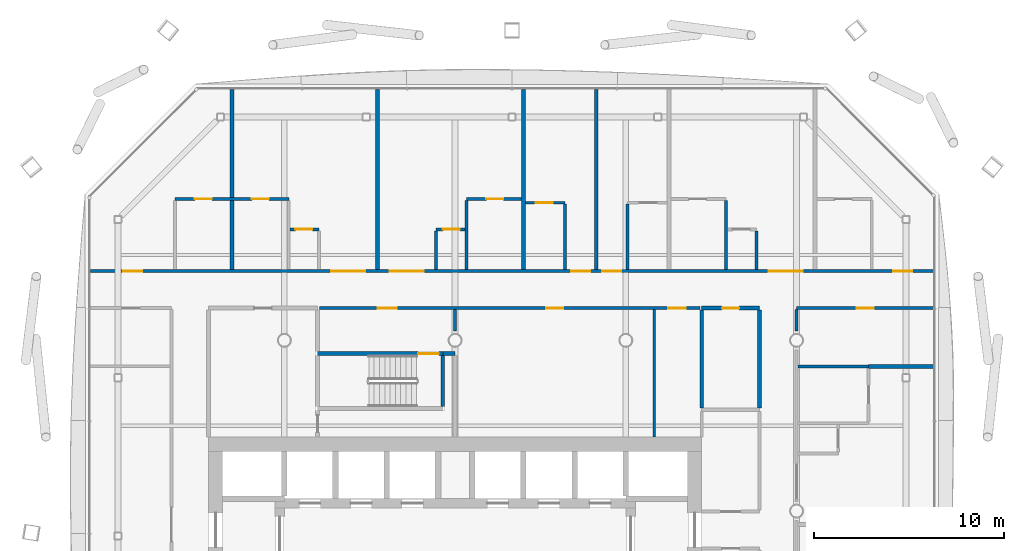
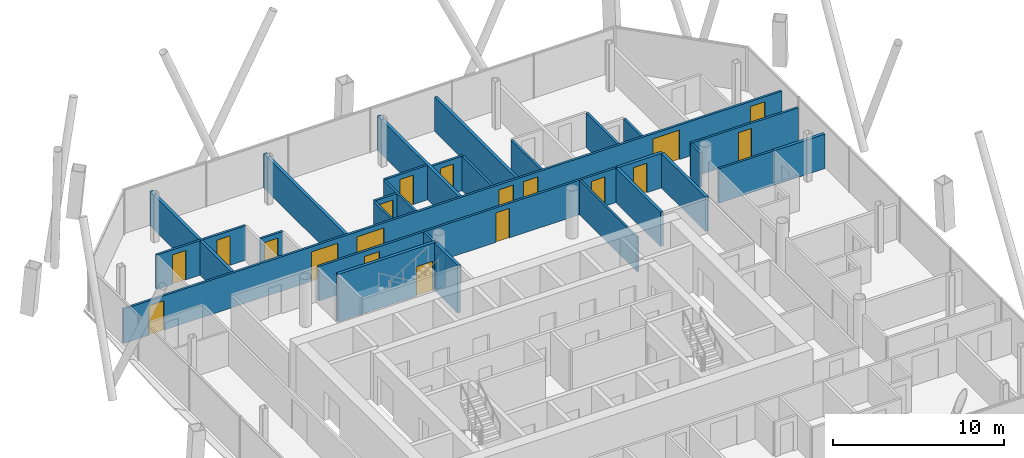
# One storey, part 17 of 23: 29 walls, 19 doors, 19 openings.
"""IFC4 building model written with IfcOpenShell, lengths in metres."""

from ifc_helpers import new_model, si_unit, direction, frame, frame_2d, origin, place, context, subcontext, project, spatial, rectangle, extrude, material, layer, layer_set, type_object, element, fill, save


model = new_model("IFC4")

# Units and contexts
model_context = context("Model", 3, precision=1e-05, world=origin(), true_north=direction((0.0, 1.0)))
body_context = subcontext(model_context, "Body", "Model", "MODEL_VIEW")
ifc_project = project(units=[si_unit("LENGTHUNIT", "METRE"), si_unit("AREAUNIT", "SQUARE_METRE"), si_unit("VOLUMEUNIT", "CUBIC_METRE"), si_unit("PLANEANGLEUNIT", "RADIAN"), si_unit("MASSUNIT", "GRAM", prefix="KILO")], contexts=[model_context])

# Site, building, storey
site_placement = place(None, origin())
site = spatial("IfcSite", under=ifc_project, at=site_placement, CompositionType="ELEMENT")
building_placement = place(site_placement, origin())
building = spatial("IfcBuilding", under=site, at=building_placement, Name="Tskaro Facet Tower", CompositionType="ELEMENT")
storey_placement = place(building_placement, frame((0.0, 0.0, 141.89990234375)))
storey = spatial("IfcBuildingStorey", under=building, at=storey_placement, Name="L34", CompositionType="ELEMENT", Elevation=141.89990234375)

# Walls
ifc_material_1 = material(Name="Gypsum board on steel studs", Category="steel")
ifc_layer_1 = layer(ifc_material_1, 0.125, Name="Gypsum board on steel studs")
ifc_layer_set_1 = layer_set([ifc_layer_1], Name="Gypsum board on steel studs")
wall_type_1 = type_object("IfcWallType", Name="PART", PredefinedType="PARTITIONING", material=ifc_layer_set_1)
wall_1_placement = place(storey_placement, frame((10.5, 3.89990234375, 0.0), z_axis=(0.0, 0.0, 1.0), x_axis=(0.0, 1.0, 0.0)))
element("IfcWall", 1, at=wall_1_placement, inside=storey, type_object=wall_type_1, Name="Partition W101", PredefinedType="PARTITIONING", context=body_context, shape_type="SweptSolid", body=[
    extrude(rectangle(XDim=6.72509765625, YDim=0.125, at=frame_2d((3.362548828125, 0.0))), origin(), (0.0, 0.0, 1.0), 2.460205078125),
])
ifc_layer_2 = layer(ifc_material_1, 0.14990234375, Name="Gypsum board on steel studs")
ifc_layer_set_2 = layer_set([ifc_layer_2], Name="Gypsum board on steel studs")
wall_type_2 = type_object("IfcWallType", Name="PART-CORR", PredefinedType="PARTITIONING", material=ifc_layer_set_2)
wall_2_placement = place(storey_placement, frame((18.074951171875, 7.6259765625, 0.0), z_axis=(0.0, 0.0, 1.0), x_axis=(1.0, 0.0, 0.0)))
element("IfcWall", 2, at=wall_2_placement, inside=storey, type_object=wall_type_2, Name="Corridor wall W035", PredefinedType="PARTITIONING", context=body_context, shape_type="SweptSolid", body=[
    extrude(rectangle(XDim=3.72509765625, YDim=0.14990234375, at=frame_2d((1.862548828125, 0.0))), origin(), (0.0, 0.0, 1.0), 2.460205078125),
])

# Wall, openings, doors
wall_3_placement = place(storey_placement, frame((12.89990234375, 10.699951171875, 0.0), z_axis=(0.0, 0.0, 1.0), x_axis=(-1.0, 0.0, 0.0)))
wall_3 = element("IfcWall", 3, at=wall_3_placement, inside=storey, type_object=wall_type_2, Name="Corridor wall W041", PredefinedType="PARTITIONING", context=body_context, shape_type="SweptSolid", body=[
    extrude(rectangle(XDim=20.0498046875, YDim=0.14990234375, at=frame_2d((10.02490234375, 0.0))), origin(), (0.0, 0.0, 1.0), 2.460205078125),
])
opening_1_placement = place(wall_3_placement, frame((15.97509765625, 0.0, 0.0)))
opening_1 = element("IfcOpeningElement", 4, at=opening_1_placement, cuts=wall_3, Name="Opening T10-D44", PredefinedType="OPENING", context=body_context, shape_type="SweptSolid", body=[
    extrude(rectangle(XDim=1.0, YDim=2.10009765625, at=frame_2d((0.5, 1.050048828125))), frame((0.0, 0.0849609375, 0.0), z_axis=(0.0, -1.0, 0.0), x_axis=(1.0, 0.0, 0.0)), (0.0, 0.0, 1.0), 0.169921875),
])
opening_2_placement = place(wall_3_placement, frame((7.199951171875, 0.0, 0.0)))
opening_2 = element("IfcOpeningElement", 5, at=opening_2_placement, cuts=wall_3, Name="Opening T10-D45", PredefinedType="OPENING", context=body_context, shape_type="SweptSolid", body=[
    extrude(rectangle(XDim=0.89990234375, YDim=2.10009765625, at=frame_2d((0.449951171875, 1.050048828125))), frame((0.0, 0.0849609375, 0.0), z_axis=(0.0, -1.0, 0.0), x_axis=(1.0, 0.0, 0.0)), (0.0, 0.0, 1.0), 0.169921875),
])
opening_3_placement = place(wall_3_placement, frame((0.75, 0.0, 0.0)))
opening_3 = element("IfcOpeningElement", 6, at=opening_3_placement, cuts=wall_3, Name="Opening T10-D46", PredefinedType="OPENING", context=body_context, shape_type="SweptSolid", body=[
    extrude(rectangle(XDim=0.89990234375, YDim=2.10009765625, at=frame_2d((0.449951171875, 1.050048828125))), frame((0.0, 0.0849609375, 0.0), z_axis=(0.0, -1.0, 0.0), x_axis=(1.0, 0.0, 0.0)), (0.0, 0.0, 1.0), 0.169921875),
])
ifc_material_2 = material(Name="Steel", Category="steel")
door_type_1 = type_object("IfcDoorType", Name="D-LOBBY", OperationType="NOTDEFINED", PredefinedType="DOOR", material=ifc_material_2)
door_1_placement = place(opening_1_placement, origin())
door_1 = element("IfcDoor", 7, at=door_1_placement, inside=storey, type_object=door_type_1, Name="Stair lobby door", OperationType="SINGLE_SWING_RIGHT", OverallHeight=2.10009765625, OverallWidth=1.0, PredefinedType="DOOR", context=body_context, shape_type="SweptSolid", body=[
    extrude(rectangle(XDim=1.0, YDim=2.10009765625, at=frame_2d((0.5, 1.050048828125))), frame((0.0, 0.02490234375, 0.0), z_axis=(0.0, -1.0, 0.0), x_axis=(1.0, 0.0, 0.0)), (0.0, 0.0, 1.0), 0.050048828125),
])
fill(opening_1, door_1)
ifc_material_3 = material(Name="Timber", Category="wood")
door_type_2 = type_object("IfcDoorType", Name="D-ROOM", OperationType="NOTDEFINED", PredefinedType="DOOR", material=ifc_material_3)
door_2_placement = place(opening_2_placement, origin())
door_2 = element("IfcDoor", 8, at=door_2_placement, inside=storey, type_object=door_type_2, Name="Door T10-D45", OperationType="SINGLE_SWING_RIGHT", OverallHeight=2.10009765625, OverallWidth=0.89990234375, PredefinedType="DOOR", context=body_context, shape_type="SweptSolid", body=[
    extrude(rectangle(XDim=0.89990234375, YDim=2.10009765625, at=frame_2d((0.449951171875, 1.050048828125))), frame((0.0, 0.02490234375, 0.0), z_axis=(0.0, -1.0, 0.0), x_axis=(1.0, 0.0, 0.0)), (0.0, 0.0, 1.0), 0.050048828125),
])
fill(opening_2, door_2)
door_3_placement = place(opening_3_placement, origin())
door_3 = element("IfcDoor", 9, at=door_3_placement, inside=storey, type_object=door_type_2, Name="Door T10-D46", OperationType="SINGLE_SWING_RIGHT", OverallHeight=2.10009765625, OverallWidth=0.89990234375, PredefinedType="DOOR", context=body_context, shape_type="SweptSolid", body=[
    extrude(rectangle(XDim=0.89990234375, YDim=2.10009765625, at=frame_2d((0.449951171875, 1.050048828125))), frame((0.0, 0.02490234375, 0.0), z_axis=(0.0, -1.0, 0.0), x_axis=(1.0, 0.0, 0.0)), (0.0, 0.0, 1.0), 0.050048828125),
])
fill(opening_3, door_3)

# Wall, opening, door
wall_4_placement = place(storey_placement, frame((25.221923828125, 10.699951171875, 0.0), z_axis=(0.0, 0.0, 1.0), x_axis=(-1.0, 0.0, 0.0)))
wall_4 = element("IfcWall", 10, at=wall_4_placement, inside=storey, type_object=wall_type_2, Name="Corridor wall W043", PredefinedType="PARTITIONING", context=body_context, shape_type="SweptSolid", body=[
    extrude(rectangle(XDim=7.221923828125, YDim=0.14990234375, at=frame_2d((3.61083984375, 0.0))), origin(), (0.0, 0.0, 1.0), 2.460205078125),
])
opening_4_placement = place(wall_4_placement, frame((3.160888671875, 0.0, 0.0)))
opening_4 = element("IfcOpeningElement", 11, at=opening_4_placement, cuts=wall_4, Name="Opening T10-D48", PredefinedType="OPENING", context=body_context, shape_type="SweptSolid", body=[
    extrude(rectangle(XDim=0.89990234375, YDim=2.10009765625, at=frame_2d((0.449951171875, 1.050048828125))), frame((0.0, 0.0849609375, 0.0), z_axis=(0.0, -1.0, 0.0), x_axis=(1.0, 0.0, 0.0)), (0.0, 0.0, 1.0), 0.169921875),
])
door_4_placement = place(opening_4_placement, origin())
door_4 = element("IfcDoor", 12, at=door_4_placement, inside=storey, type_object=door_type_2, Name="Door T10-D48", OperationType="SINGLE_SWING_RIGHT", OverallHeight=2.10009765625, OverallWidth=0.89990234375, PredefinedType="DOOR", context=body_context, shape_type="SweptSolid", body=[
    extrude(rectangle(XDim=0.89990234375, YDim=2.10009765625, at=frame_2d((0.449951171875, 1.050048828125))), frame((0.0, 0.02490234375, 0.0), z_axis=(0.0, -1.0, 0.0), x_axis=(1.0, 0.0, 0.0)), (0.0, 0.0, 1.0), 0.050048828125),
])
fill(opening_4, door_4)

# Wall, openings, doors
wall_5_placement = place(storey_placement, frame((-19.221923828125, 12.64990234375, 0.0), z_axis=(0.0, 0.0, 1.0), x_axis=(1.0, 0.0, 0.0)))
wall_5 = element("IfcWall", 13, at=wall_5_placement, inside=storey, type_object=wall_type_2, Name="Corridor wall W044", PredefinedType="PARTITIONING", context=body_context, shape_type="SweptSolid", body=[
    extrude(rectangle(XDim=44.44384765625, YDim=0.14990234375, at=frame_2d((22.221923828125, 0.0))), origin(), (0.0, 0.0, 1.0), 2.460205078125),
])
opening_5_placement = place(wall_5_placement, frame((1.72705078125, 0.0, 0.0)))
opening_5 = element("IfcOpeningElement", 14, at=opening_5_placement, cuts=wall_5, Name="Opening T10-D49", PredefinedType="OPENING", context=body_context, shape_type="SweptSolid", body=[
    extrude(rectangle(XDim=1.0, YDim=2.10009765625, at=frame_2d((0.5, 1.050048828125))), frame((0.0, 0.0849609375, 0.0), z_axis=(0.0, -1.0, 0.0), x_axis=(1.0, 0.0, 0.0)), (0.0, 0.0, 1.0), 0.169921875),
])
opening_6_placement = place(wall_5_placement, frame((12.696044921875, 0.0, 0.0)))
opening_6 = element("IfcOpeningElement", 15, at=opening_6_placement, cuts=wall_5, Name="Opening T10-D50", PredefinedType="OPENING", context=body_context, shape_type="SweptSolid", body=[
    extrude(rectangle(XDim=1.800048828125, YDim=2.10009765625, at=frame_2d((0.89990234375, 1.050048828125))), frame((0.0, 0.0849609375, 0.0), z_axis=(0.0, -1.0, 0.0), x_axis=(1.0, 0.0, 0.0)), (0.0, 0.0, 1.0), 0.169921875),
])
opening_7_placement = place(wall_5_placement, frame((15.780029296875, 0.0, 0.0)))
opening_7 = element("IfcOpeningElement", 16, at=opening_7_placement, cuts=wall_5, Name="Opening T10-D51", PredefinedType="OPENING", context=body_context, shape_type="SweptSolid", body=[
    extrude(rectangle(XDim=1.800048828125, YDim=2.10009765625, at=frame_2d((0.89990234375, 1.050048828125))), frame((0.0, 0.0849609375, 0.0), z_axis=(0.0, -1.0, 0.0), x_axis=(1.0, 0.0, 0.0)), (0.0, 0.0, 1.0), 0.169921875),
])
opening_8_placement = place(wall_5_placement, frame((25.337890625, 0.0, 0.0)))
opening_8 = element("IfcOpeningElement", 17, at=opening_8_placement, cuts=wall_5, Name="Opening T10-D52", PredefinedType="OPENING", context=body_context, shape_type="SweptSolid", body=[
    extrude(rectangle(XDim=1.0, YDim=2.10009765625, at=frame_2d((0.5, 1.050048828125))), frame((0.0, 0.0849609375, 0.0), z_axis=(0.0, -1.0, 0.0), x_axis=(1.0, 0.0, 0.0)), (0.0, 0.0, 1.0), 0.169921875),
])
opening_9_placement = place(wall_5_placement, frame((26.989990234375, 0.0, 0.0)))
opening_9 = element("IfcOpeningElement", 18, at=opening_9_placement, cuts=wall_5, Name="Opening T10-D53", PredefinedType="OPENING", context=body_context, shape_type="SweptSolid", body=[
    extrude(rectangle(XDim=1.0, YDim=2.10009765625, at=frame_2d((0.5, 1.050048828125))), frame((0.0, 0.0849609375, 0.0), z_axis=(0.0, -1.0, 0.0), x_axis=(1.0, 0.0, 0.0)), (0.0, 0.0, 1.0), 0.169921875),
])
opening_10_placement = place(wall_5_placement, frame((35.748046875, 0.0, 0.0)))
opening_10 = element("IfcOpeningElement", 19, at=opening_10_placement, cuts=wall_5, Name="Opening T10-D54", PredefinedType="OPENING", context=body_context, shape_type="SweptSolid", body=[
    extrude(rectangle(XDim=1.800048828125, YDim=2.10009765625, at=frame_2d((0.89990234375, 1.050048828125))), frame((0.0, 0.0849609375, 0.0), z_axis=(0.0, -1.0, 0.0), x_axis=(1.0, 0.0, 0.0)), (0.0, 0.0, 1.0), 0.169921875),
])
opening_11_placement = place(wall_5_placement, frame((42.31689453125, 0.0, 0.0)))
opening_11 = element("IfcOpeningElement", 20, at=opening_11_placement, cuts=wall_5, Name="Opening T10-D55", PredefinedType="OPENING", context=body_context, shape_type="SweptSolid", body=[
    extrude(rectangle(XDim=1.0, YDim=2.10009765625, at=frame_2d((0.5, 1.050048828125))), frame((0.0, 0.0849609375, 0.0), z_axis=(0.0, -1.0, 0.0), x_axis=(1.0, 0.0, 0.0)), (0.0, 0.0, 1.0), 0.169921875),
])
door_type_3 = type_object("IfcDoorType", Name="D-ENTRY", OperationType="NOTDEFINED", PredefinedType="DOOR", material=ifc_material_3)
door_5_placement = place(opening_5_placement, origin())
door_5 = element("IfcDoor", 21, at=door_5_placement, inside=storey, type_object=door_type_3, Name="Door T10-D49", OperationType="SINGLE_SWING_RIGHT", OverallHeight=2.10009765625, OverallWidth=1.0, PredefinedType="DOOR", context=body_context, shape_type="SweptSolid", body=[
    extrude(rectangle(XDim=1.0, YDim=2.10009765625, at=frame_2d((0.5, 1.050048828125))), frame((0.0, 0.02490234375, 0.0), z_axis=(0.0, -1.0, 0.0), x_axis=(1.0, 0.0, 0.0)), (0.0, 0.0, 1.0), 0.050048828125),
])
fill(opening_5, door_5)
door_6_placement = place(opening_8_placement, origin())
door_6 = element("IfcDoor", 22, at=door_6_placement, inside=storey, type_object=door_type_3, Name="Door T10-D52", OperationType="SINGLE_SWING_RIGHT", OverallHeight=2.10009765625, OverallWidth=1.0, PredefinedType="DOOR", context=body_context, shape_type="SweptSolid", body=[
    extrude(rectangle(XDim=1.0, YDim=2.10009765625, at=frame_2d((0.5, 1.050048828125))), frame((0.0, 0.02490234375, 0.0), z_axis=(0.0, -1.0, 0.0), x_axis=(1.0, 0.0, 0.0)), (0.0, 0.0, 1.0), 0.050048828125),
])
fill(opening_8, door_6)
door_7_placement = place(opening_9_placement, origin())
door_7 = element("IfcDoor", 23, at=door_7_placement, inside=storey, type_object=door_type_3, Name="Door T10-D53", OperationType="SINGLE_SWING_RIGHT", OverallHeight=2.10009765625, OverallWidth=1.0, PredefinedType="DOOR", context=body_context, shape_type="SweptSolid", body=[
    extrude(rectangle(XDim=1.0, YDim=2.10009765625, at=frame_2d((0.5, 1.050048828125))), frame((0.0, 0.02490234375, 0.0), z_axis=(0.0, -1.0, 0.0), x_axis=(1.0, 0.0, 0.0)), (0.0, 0.0, 1.0), 0.050048828125),
])
fill(opening_9, door_7)
door_8_placement = place(opening_11_placement, origin())
door_8 = element("IfcDoor", 24, at=door_8_placement, inside=storey, type_object=door_type_3, Name="Door T10-D55", OperationType="SINGLE_SWING_RIGHT", OverallHeight=2.10009765625, OverallWidth=1.0, PredefinedType="DOOR", context=body_context, shape_type="SweptSolid", body=[
    extrude(rectangle(XDim=1.0, YDim=2.10009765625, at=frame_2d((0.5, 1.050048828125))), frame((0.0, 0.02490234375, 0.0), z_axis=(0.0, -1.0, 0.0), x_axis=(1.0, 0.0, 0.0)), (0.0, 0.0, 1.0), 0.050048828125),
])
fill(opening_11, door_8)
door_type_4 = type_object("IfcDoorType", Name="D-SUITE-PAIR", OperationType="NOTDEFINED", PredefinedType="DOOR", material=ifc_material_3)
door_9_placement = place(opening_6_placement, origin())
door_9 = element("IfcDoor", 25, at=door_9_placement, inside=storey, type_object=door_type_4, Name="Door T10-D50", OperationType="DOUBLE_DOOR_SINGLE_SWING", OverallHeight=2.10009765625, OverallWidth=1.800048828125, PredefinedType="DOOR", context=body_context, shape_type="SweptSolid", body=[
    extrude(rectangle(XDim=1.800048828125, YDim=2.10009765625, at=frame_2d((0.89990234375, 1.050048828125))), frame((0.0, 0.02490234375, 0.0), z_axis=(0.0, -1.0, 0.0), x_axis=(1.0, 0.0, 0.0)), (0.0, 0.0, 1.0), 0.050048828125),
])
fill(opening_6, door_9)
door_10_placement = place(opening_7_placement, origin())
door_10 = element("IfcDoor", 26, at=door_10_placement, inside=storey, type_object=door_type_4, Name="Door T10-D51", OperationType="DOUBLE_DOOR_SINGLE_SWING", OverallHeight=2.10009765625, OverallWidth=1.800048828125, PredefinedType="DOOR", context=body_context, shape_type="SweptSolid", body=[
    extrude(rectangle(XDim=1.800048828125, YDim=2.10009765625, at=frame_2d((0.89990234375, 1.050048828125))), frame((0.0, 0.02490234375, 0.0), z_axis=(0.0, -1.0, 0.0), x_axis=(1.0, 0.0, 0.0)), (0.0, 0.0, 1.0), 0.050048828125),
])
fill(opening_7, door_10)
door_11_placement = place(opening_10_placement, origin())
door_11 = element("IfcDoor", 27, at=door_11_placement, inside=storey, type_object=door_type_4, Name="Door T10-D54", OperationType="DOUBLE_DOOR_SINGLE_SWING", OverallHeight=2.10009765625, OverallWidth=1.800048828125, PredefinedType="DOOR", context=body_context, shape_type="SweptSolid", body=[
    extrude(rectangle(XDim=1.800048828125, YDim=2.10009765625, at=frame_2d((0.89990234375, 1.050048828125))), frame((0.0, 0.02490234375, 0.0), z_axis=(0.0, -1.0, 0.0), x_axis=(1.0, 0.0, 0.0)), (0.0, 0.0, 1.0), 0.050048828125),
])
fill(opening_10, door_11)

# Wall, opening, door
wall_6_placement = place(storey_placement, frame((-7.16796875, 14.85009765625, 0.0), z_axis=(0.0, 0.0, 1.0), x_axis=(-1.0, 0.0, 0.0)))
wall_6 = element("IfcWall", 28, at=wall_6_placement, inside=storey, type_object=wall_type_2, Name="Corridor wall W045", PredefinedType="PARTITIONING", context=body_context, shape_type="SweptSolid", body=[
    extrude(rectangle(XDim=1.525146484375, YDim=0.14990234375, at=frame_2d((0.7626953125, 0.0))), origin(), (0.0, 0.0, 1.0), 2.460205078125),
])
opening_12_placement = place(wall_6_placement, frame((0.35009765625, 0.0, 0.0)))
opening_12 = element("IfcOpeningElement", 29, at=opening_12_placement, cuts=wall_6, Name="Opening T10-D56", PredefinedType="OPENING", context=body_context, shape_type="SweptSolid", body=[
    extrude(rectangle(XDim=0.89990234375, YDim=2.10009765625, at=frame_2d((0.449951171875, 1.050048828125))), frame((0.0, 0.0849609375, 0.0), z_axis=(0.0, -1.0, 0.0), x_axis=(1.0, 0.0, 0.0)), (0.0, 0.0, 1.0), 0.169921875),
])
door_12_placement = place(opening_12_placement, origin())
door_12 = element("IfcDoor", 30, at=door_12_placement, inside=storey, type_object=door_type_2, Name="Door T10-D56", OperationType="SINGLE_SWING_RIGHT", OverallHeight=2.10009765625, OverallWidth=0.89990234375, PredefinedType="DOOR", context=body_context, shape_type="SweptSolid", body=[
    extrude(rectangle(XDim=0.89990234375, YDim=2.10009765625, at=frame_2d((0.449951171875, 1.050048828125))), frame((0.0, 0.02490234375, 0.0), z_axis=(0.0, -1.0, 0.0), x_axis=(1.0, 0.0, 0.0)), (0.0, 0.0, 1.0), 0.050048828125),
])
fill(opening_12, door_12)

wall_7_placement = place(storey_placement, frame((0.52490234375, 14.85009765625, 0.0), z_axis=(0.0, 0.0, 1.0), x_axis=(-1.0, 0.0, 0.0)))
wall_7 = element("IfcWall", 31, at=wall_7_placement, inside=storey, type_object=wall_type_2, Name="Corridor wall W046", PredefinedType="PARTITIONING", context=body_context, shape_type="SweptSolid", body=[
    extrude(rectangle(XDim=1.52490234375, YDim=0.14990234375, at=frame_2d((0.762451171875, 0.0))), origin(), (0.0, 0.0, 1.0), 2.460205078125),
])
opening_13_placement = place(wall_7_placement, frame((0.27490234375, 0.0, 0.0)))
opening_13 = element("IfcOpeningElement", 32, at=opening_13_placement, cuts=wall_7, Name="Opening T10-D57", PredefinedType="OPENING", context=body_context, shape_type="SweptSolid", body=[
    extrude(rectangle(XDim=0.89990234375, YDim=2.10009765625, at=frame_2d((0.449951171875, 1.050048828125))), frame((0.0, 0.0849609375, 0.0), z_axis=(0.0, -1.0, 0.0), x_axis=(1.0, 0.0, 0.0)), (0.0, 0.0, 1.0), 0.169921875),
])
door_13_placement = place(opening_13_placement, origin())
door_13 = element("IfcDoor", 33, at=door_13_placement, inside=storey, type_object=door_type_2, Name="Door T10-D57", OperationType="SINGLE_SWING_RIGHT", OverallHeight=2.10009765625, OverallWidth=0.89990234375, PredefinedType="DOOR", context=body_context, shape_type="SweptSolid", body=[
    extrude(rectangle(XDim=0.89990234375, YDim=2.10009765625, at=frame_2d((0.449951171875, 1.050048828125))), frame((0.0, 0.02490234375, 0.0), z_axis=(0.0, -1.0, 0.0), x_axis=(1.0, 0.0, 0.0)), (0.0, 0.0, 1.0), 0.050048828125),
])
fill(opening_13, door_13)

wall_8_placement = place(storey_placement, frame((5.7900390625, 16.25, 0.0), z_axis=(0.0, 0.0, 1.0), x_axis=(-1.0, 0.0, 0.0)))
wall_8 = element("IfcWall", 34, at=wall_8_placement, inside=storey, type_object=wall_type_2, Name="Corridor wall W048", PredefinedType="PARTITIONING", context=body_context, shape_type="SweptSolid", body=[
    extrude(rectangle(XDim=2.090087890625, YDim=0.14990234375, at=frame_2d((1.044921875, 0.0))), origin(), (0.0, 0.0, 1.0), 2.460205078125),
])
opening_14_placement = place(wall_8_placement, frame((0.64501953125, 0.0, 0.0)))
opening_14 = element("IfcOpeningElement", 35, at=opening_14_placement, cuts=wall_8, Name="Opening T10-D59", PredefinedType="OPENING", context=body_context, shape_type="SweptSolid", body=[
    extrude(rectangle(XDim=0.89990234375, YDim=2.10009765625, at=frame_2d((0.449951171875, 1.050048828125))), frame((0.0, 0.0849609375, 0.0), z_axis=(0.0, -1.0, 0.0), x_axis=(1.0, 0.0, 0.0)), (0.0, 0.0, 1.0), 0.169921875),
])
door_14_placement = place(opening_14_placement, origin())
door_14 = element("IfcDoor", 36, at=door_14_placement, inside=storey, type_object=door_type_2, Name="Door T10-D59", OperationType="SINGLE_SWING_RIGHT", OverallHeight=2.10009765625, OverallWidth=0.89990234375, PredefinedType="DOOR", context=body_context, shape_type="SweptSolid", body=[
    extrude(rectangle(XDim=0.89990234375, YDim=2.10009765625, at=frame_2d((0.449951171875, 1.050048828125))), frame((0.0, 0.02490234375, 0.0), z_axis=(0.0, -1.0, 0.0), x_axis=(1.0, 0.0, 0.0)), (0.0, 0.0, 1.0), 0.050048828125),
])
fill(opening_14, door_14)

# Wall, openings, doors
wall_9_placement = place(storey_placement, frame((-8.76806640625, 16.449951171875, 0.0), z_axis=(0.0, 0.0, 1.0), x_axis=(-1.0, 0.0, 0.0)))
wall_9 = element("IfcWall", 37, at=wall_9_placement, inside=storey, type_object=wall_type_2, Name="Corridor wall W050", PredefinedType="PARTITIONING", context=body_context, shape_type="SweptSolid", body=[
    extrude(rectangle(XDim=6.0, YDim=0.14990234375, at=frame_2d((3.0, 0.0))), origin(), (0.0, 0.0, 1.0), 2.460205078125),
])
opening_15_placement = place(wall_9_placement, frame((4.050048828125, 0.0, 0.0)))
opening_15 = element("IfcOpeningElement", 38, at=opening_15_placement, cuts=wall_9, Name="Opening T10-D61", PredefinedType="OPENING", context=body_context, shape_type="SweptSolid", body=[
    extrude(rectangle(XDim=0.89990234375, YDim=2.10009765625, at=frame_2d((0.449951171875, 1.050048828125))), frame((0.0, 0.0849609375, 0.0), z_axis=(0.0, -1.0, 0.0), x_axis=(1.0, 0.0, 0.0)), (0.0, 0.0, 1.0), 0.169921875),
])
opening_16_placement = place(wall_9_placement, frame((1.050048828125, 0.0, 0.0)))
opening_16 = element("IfcOpeningElement", 39, at=opening_16_placement, cuts=wall_9, Name="Opening T10-D62", PredefinedType="OPENING", context=body_context, shape_type="SweptSolid", body=[
    extrude(rectangle(XDim=0.89990234375, YDim=2.10009765625, at=frame_2d((0.449951171875, 1.050048828125))), frame((0.0, 0.0849609375, 0.0), z_axis=(0.0, -1.0, 0.0), x_axis=(1.0, 0.0, 0.0)), (0.0, 0.0, 1.0), 0.169921875),
])
door_15_placement = place(opening_15_placement, origin())
door_15 = element("IfcDoor", 40, at=door_15_placement, inside=storey, type_object=door_type_2, Name="Door T10-D61", OperationType="SINGLE_SWING_RIGHT", OverallHeight=2.10009765625, OverallWidth=0.89990234375, PredefinedType="DOOR", context=body_context, shape_type="SweptSolid", body=[
    extrude(rectangle(XDim=0.89990234375, YDim=2.10009765625, at=frame_2d((0.449951171875, 1.050048828125))), frame((0.0, 0.02490234375, 0.0), z_axis=(0.0, -1.0, 0.0), x_axis=(1.0, 0.0, 0.0)), (0.0, 0.0, 1.0), 0.050048828125),
])
fill(opening_15, door_15)
door_16_placement = place(opening_16_placement, origin())
door_16 = element("IfcDoor", 41, at=door_16_placement, inside=storey, type_object=door_type_2, Name="Door T10-D62", OperationType="SINGLE_SWING_RIGHT", OverallHeight=2.10009765625, OverallWidth=0.89990234375, PredefinedType="DOOR", context=body_context, shape_type="SweptSolid", body=[
    extrude(rectangle(XDim=0.89990234375, YDim=2.10009765625, at=frame_2d((0.449951171875, 1.050048828125))), frame((0.0, 0.02490234375, 0.0), z_axis=(0.0, -1.0, 0.0), x_axis=(1.0, 0.0, 0.0)), (0.0, 0.0, 1.0), 0.050048828125),
])
fill(opening_16, door_16)

# Wall, opening, door
wall_10_placement = place(storey_placement, frame((3.5, 16.449951171875, 0.0), z_axis=(0.0, 0.0, 1.0), x_axis=(-1.0, 0.0, 0.0)))
wall_10 = element("IfcWall", 42, at=wall_10_placement, inside=storey, type_object=wall_type_2, Name="Corridor wall W051", PredefinedType="PARTITIONING", context=body_context, shape_type="SweptSolid", body=[
    extrude(rectangle(XDim=2.89990234375, YDim=0.14990234375, at=frame_2d((1.449951171875, 0.0))), origin(), (0.0, 0.0, 1.0), 2.460205078125),
])
opening_17_placement = place(wall_10_placement, frame((0.949951171875, 0.0, 0.0)))
opening_17 = element("IfcOpeningElement", 43, at=opening_17_placement, cuts=wall_10, Name="Opening T10-D63", PredefinedType="OPENING", context=body_context, shape_type="SweptSolid", body=[
    extrude(rectangle(XDim=0.89990234375, YDim=2.10009765625, at=frame_2d((0.449951171875, 1.050048828125))), frame((0.0, 0.0849609375, 0.0), z_axis=(0.0, -1.0, 0.0), x_axis=(1.0, 0.0, 0.0)), (0.0, 0.0, 1.0), 0.169921875),
])
door_17_placement = place(opening_17_placement, origin())
door_17 = element("IfcDoor", 44, at=door_17_placement, inside=storey, type_object=door_type_2, Name="Door T10-D63", OperationType="SINGLE_SWING_RIGHT", OverallHeight=2.10009765625, OverallWidth=0.89990234375, PredefinedType="DOOR", context=body_context, shape_type="SweptSolid", body=[
    extrude(rectangle(XDim=0.89990234375, YDim=2.10009765625, at=frame_2d((0.449951171875, 1.050048828125))), frame((0.0, 0.02490234375, 0.0), z_axis=(0.0, -1.0, 0.0), x_axis=(1.0, 0.0, 0.0)), (0.0, 0.0, 1.0), 0.050048828125),
])
fill(opening_17, door_17)

# Walls
wall_11_placement = place(storey_placement, frame((-1.0, 12.72509765625, 0.0), z_axis=(0.0, 0.0, 1.0), x_axis=(0.0, 1.0, 0.0)))
element("IfcWall", 45, at=wall_11_placement, inside=storey, type_object=wall_type_2, Name="Corridor wall W076", PredefinedType="PARTITIONING", context=body_context, shape_type="SweptSolid", body=[
    extrude(rectangle(XDim=2.0498046875, YDim=0.14990234375, at=frame_2d((1.02490234375, 0.0))), origin(), (0.0, 0.0, 1.0), 2.460205078125),
])
wall_12_placement = place(storey_placement, frame((0.0, 9.5, 0.0), z_axis=(0.0, 0.0, 1.0), x_axis=(0.0, 1.0, 0.0)))
element("IfcWall", 46, at=wall_12_placement, inside=storey, type_object=wall_type_2, Name="Corridor wall W083", PredefinedType="PARTITIONING", context=body_context, shape_type="SweptSolid", body=[
    extrude(rectangle(XDim=1.125, YDim=0.14990234375, at=frame_2d((0.5625, 0.0))), origin(), (0.0, 0.0, 1.0), 2.460205078125),
])
wall_13_placement = place(storey_placement, frame((0.60009765625, 12.72509765625, 0.0), z_axis=(0.0, 0.0, 1.0), x_axis=(0.0, 1.0, 0.0)))
element("IfcWall", 47, at=wall_13_placement, inside=storey, type_object=wall_type_2, Name="Corridor wall W084", PredefinedType="PARTITIONING", context=body_context, shape_type="SweptSolid", body=[
    extrude(rectangle(XDim=3.64990234375, YDim=0.14990234375, at=frame_2d((1.824951171875, 0.0))), origin(), (0.0, 0.0, 1.0), 2.460205078125),
])
for number, where, z_axis, x_axis, name in (
    (48, (5.7900390625, 12.72509765625, 0.0), (0.0, 0.0, 1.0), (0.0, 1.0, 0.0), "Corridor wall W092"),
    (49, (9.093994140625, 12.72509765625, 0.0), (0.0, 0.0, 1.0), (0.0, 1.0, 0.0), "Corridor wall W099"),
):
    element("IfcWall", number, at=place(storey_placement, frame(where, z_axis=z_axis, x_axis=x_axis)), inside=storey, type_object=wall_type_2, Name=name, PredefinedType="PARTITIONING", context=body_context, shape_type="SweptSolid", body=[
        extrude(rectangle(XDim=3.449951171875, YDim=0.14990234375, at=frame_2d((1.72509765625, 0.0))), origin(), (0.0, 0.0, 1.0), 2.460205078125),
    ])
wall_14_placement = place(storey_placement, frame((14.283935546875, 12.72509765625, 0.0), z_axis=(0.0, 0.0, 1.0), x_axis=(0.0, 1.0, 0.0)))
element("IfcWall", 50, at=wall_14_placement, inside=storey, type_object=wall_type_2, Name="Corridor wall W106", PredefinedType="PARTITIONING", context=body_context, shape_type="SweptSolid", body=[
    extrude(rectangle(XDim=3.64990234375, YDim=0.14990234375, at=frame_2d((1.824951171875, 0.0))), origin(), (0.0, 0.0, 1.0), 2.460205078125),
])
wall_15_placement = place(storey_placement, frame((15.884033203125, 12.72509765625, 0.0), z_axis=(0.0, 0.0, 1.0), x_axis=(0.0, 1.0, 0.0)))
element("IfcWall", 51, at=wall_15_placement, inside=storey, type_object=wall_type_2, Name="Corridor wall W108", PredefinedType="PARTITIONING", context=body_context, shape_type="SweptSolid", body=[
    extrude(rectangle(XDim=2.0498046875, YDim=0.14990234375, at=frame_2d((1.02490234375, 0.0))), origin(), (0.0, 0.0, 1.0), 2.460205078125),
])
wall_16_placement = place(storey_placement, frame((18.0, 9.5, 0.0), z_axis=(0.0, 0.0, 1.0), x_axis=(0.0, 1.0, 0.0)))
element("IfcWall", 52, at=wall_16_placement, inside=storey, type_object=wall_type_2, Name="Corridor wall W116", PredefinedType="PARTITIONING", context=body_context, shape_type="SweptSolid", body=[
    extrude(rectangle(XDim=1.125, YDim=0.14990234375, at=frame_2d((0.5625, 0.0))), origin(), (0.0, 0.0, 1.0), 2.460205078125),
])
ifc_layer_3 = layer(ifc_material_1, 0.199951171875, Name="Gypsum board on steel studs")
ifc_layer_set_3 = layer_set([ifc_layer_3], Name="Gypsum board on steel studs")
wall_type_3 = type_object("IfcWallType", Name="PART-DEMISING", PredefinedType="PARTITIONING", material=ifc_layer_set_3)
wall_17_placement = place(storey_placement, frame((21.800048828125, 7.6259765625, 0.0), z_axis=(0.0, 0.0, 1.0), x_axis=(1.0, 0.0, 0.0)))
element("IfcWall", 53, at=wall_17_placement, inside=storey, type_object=wall_type_3, Name="Guest room wall W036", PredefinedType="PARTITIONING", context=body_context, shape_type="SweptSolid", body=[
    extrude(rectangle(XDim=3.421875, YDim=0.199951171875, at=frame_2d((1.7109375, 0.0))), origin(), (0.0, 0.0, 1.0), 2.460205078125),
])
for number, where, z_axis, x_axis, name in (
    (54, (-11.76806640625, 12.72509765625, 0.0), (0.0, 0.0, 1.0), (0.0, 1.0, 0.0), "Guest room wall W059"),
    (55, (-4.083984375, 12.72509765625, 0.0), (0.0, 0.0, 1.0), (0.0, 1.0, 0.0), "Guest room wall W072"),
    (56, (3.60009765625, 12.72509765625, 0.0), (0.0, 0.0, 1.0), (0.0, 1.0, 0.0), "Guest room wall W091"),
    (57, (7.44189453125, 12.72509765625, 0.0), (0.0, 0.0, 1.0), (0.0, 1.0, 0.0), "Guest room wall W096"),
):
    element("IfcWall", number, at=place(storey_placement, frame(where, z_axis=z_axis, x_axis=x_axis)), inside=storey, type_object=wall_type_3, Name=name, PredefinedType="PARTITIONING", context=body_context, shape_type="SweptSolid", body=[
        extrude(rectangle(XDim=9.496826171875, YDim=0.199951171875, at=frame_2d((4.74853515625, 0.0))), origin(), (0.0, 0.0, 1.0), 2.460205078125),
    ])

# Wall, opening, door
ifc_material_4 = material(Name="Concrete C60/75", Category="concrete")
ifc_layer_4 = layer(ifc_material_4, 0.199951171875, Name="Concrete C60/75")
ifc_layer_set_4 = layer_set([ifc_layer_4], Name="Concrete C60/75")
wall_type_4 = type_object("IfcWallType", Name="STAIR-WALL", PredefinedType="SHEAR", material=ifc_layer_set_4)
wall_18_placement = place(storey_placement, frame((-0.64990234375, 8.300048828125, 0.0), z_axis=(0.0, 0.0, 1.0), x_axis=(-1.0, 0.0, 0.0)))
wall_18 = element("IfcWall", 58, at=wall_18_placement, inside=storey, type_object=wall_type_4, Name="Stair wall W037", PredefinedType="SHEAR", context=body_context, shape_type="SweptSolid", body=[
    extrude(rectangle(XDim=6.60009765625, YDim=0.199951171875, at=frame_2d((3.300048828125, 0.0))), origin(), (0.0, 0.0, 1.0), 3.400146484375),
])
opening_18_placement = place(wall_18_placement, frame((0.199951171875, 0.0, 0.0)))
opening_18 = element("IfcOpeningElement", 59, at=opening_18_placement, cuts=wall_18, Name="Opening ST-3-D1", PredefinedType="OPENING", context=body_context, shape_type="SweptSolid", body=[
    extrude(rectangle(XDim=1.10009765625, YDim=2.10009765625, at=frame_2d((0.550048828125, 1.050048828125))), frame((0.0, 0.10986328125, 0.0), z_axis=(0.0, -1.0, 0.0), x_axis=(1.0, 0.0, 0.0)), (0.0, 0.0, 1.0), 0.219970703125),
])
door_type_5 = type_object("IfcDoorType", Name="D-STAIR", OperationType="NOTDEFINED", PredefinedType="DOOR", material=ifc_material_2)
door_18_placement = place(opening_18_placement, origin())
door_18 = element("IfcDoor", 60, at=door_18_placement, inside=storey, type_object=door_type_5, Name="Stair door 3", OperationType="SINGLE_SWING_RIGHT", OverallHeight=2.10009765625, OverallWidth=1.10009765625, PredefinedType="DOOR", context=body_context, shape_type="SweptSolid", body=[
    extrude(rectangle(XDim=1.10009765625, YDim=2.10009765625, at=frame_2d((0.550048828125, 1.050048828125))), frame((0.0, 0.02490234375, 0.0), z_axis=(0.0, -1.0, 0.0), x_axis=(1.0, 0.0, 0.0)), (0.0, 0.0, 1.0), 0.050048828125),
])
fill(opening_18, door_18)

# Walls
wall_19_placement = place(storey_placement, frame((-0.64990234375, 5.5, 0.0), z_axis=(0.0, 0.0, 1.0), x_axis=(0.0, 1.0, 0.0)))
element("IfcWall", 61, at=wall_19_placement, inside=storey, type_object=wall_type_4, Name="Stair wall W080", PredefinedType="SHEAR", context=body_context, shape_type="SweptSolid", body=[
    extrude(rectangle(XDim=2.699951171875, YDim=0.199951171875, at=frame_2d((1.35009765625, 0.0))), origin(), (0.0, 0.0, 1.0), 3.400146484375),
])
ifc_material_5 = material(Name="Concrete C20/25", Category="concrete")
ifc_layer_5 = layer(ifc_material_5, 0.199951171875, Name="Concrete C20/25")
ifc_layer_set_5 = layer_set([ifc_layer_5], Name="Concrete C20/25")
wall_type_5 = type_object("IfcWallType", Name="WALL-RISER", PredefinedType="SOLIDWALL", material=ifc_layer_set_5)
wall_20_placement = place(storey_placement, frame((-0.64990234375, 8.300048828125, 0.0), z_axis=(0.0, 0.0, 1.0), x_axis=(1.0, 0.0, 0.0)))
element("IfcWall", 62, at=wall_20_placement, inside=storey, type_object=wall_type_5, Name="Riser room wall W038", PredefinedType="SOLIDWALL", context=body_context, shape_type="SweptSolid", body=[
    extrude(rectangle(XDim=0.64990234375, YDim=0.199951171875, at=frame_2d((0.324951171875, 0.0))), origin(), (0.0, 0.0, 1.0), 2.460205078125),
])

# Wall, opening, door
wall_21_placement = place(storey_placement, frame((16.050048828125, 10.699951171875, 0.0), z_axis=(0.0, 0.0, 1.0), x_axis=(-1.0, 0.0, 0.0)))
wall_21 = element("IfcWall", 63, at=wall_21_placement, inside=storey, type_object=wall_type_5, Name="Riser room wall W042", PredefinedType="SOLIDWALL", context=body_context, shape_type="SweptSolid", body=[
    extrude(rectangle(XDim=3.050048828125, YDim=0.199951171875, at=frame_2d((1.52490234375, 0.0))), origin(), (0.0, 0.0, 1.0), 2.460205078125),
])
opening_19_placement = place(wall_21_placement, frame((1.074951171875, 0.0, 0.0)))
opening_19 = element("IfcOpeningElement", 64, at=opening_19_placement, cuts=wall_21, Name="Opening T10-D47", PredefinedType="OPENING", context=body_context, shape_type="SweptSolid", body=[
    extrude(rectangle(XDim=0.89990234375, YDim=2.10009765625, at=frame_2d((0.449951171875, 1.050048828125))), frame((0.0, 0.10986328125, 0.0), z_axis=(0.0, -1.0, 0.0), x_axis=(1.0, 0.0, 0.0)), (0.0, 0.0, 1.0), 0.219970703125),
])
door_type_6 = type_object("IfcDoorType", Name="D-RISER", OperationType="NOTDEFINED", PredefinedType="DOOR", material=ifc_material_2)
door_19_placement = place(opening_19_placement, origin())
door_19 = element("IfcDoor", 65, at=door_19_placement, inside=storey, type_object=door_type_6, Name="Door T10-D47", OperationType="SINGLE_SWING_RIGHT", OverallHeight=2.10009765625, OverallWidth=0.89990234375, PredefinedType="DOOR", context=body_context, shape_type="SweptSolid", body=[
    extrude(rectangle(XDim=0.89990234375, YDim=2.10009765625, at=frame_2d((0.449951171875, 1.050048828125))), frame((0.0, 0.02490234375, 0.0), z_axis=(0.0, -1.0, 0.0), x_axis=(1.0, 0.0, 0.0)), (0.0, 0.0, 1.0), 0.050048828125),
])
fill(opening_19, door_19)

# Walls
for number, where, z_axis, x_axis, name in (
    (66, (13.0, 5.43701171875, 0.0), (0.0, 0.0, 1.0), (0.0, 1.0, 0.0), "Riser room wall W105"),
    (67, (16.050048828125, 5.43701171875, 0.0), (0.0, 0.0, 1.0), (0.0, 1.0, 0.0), "Riser room wall W111"),
):
    element("IfcWall", number, at=place(storey_placement, frame(where, z_axis=z_axis, x_axis=x_axis)), inside=storey, type_object=wall_type_5, Name=name, PredefinedType="SOLIDWALL", context=body_context, shape_type="SweptSolid", body=[
        extrude(rectangle(XDim=5.1630859375, YDim=0.199951171875, at=frame_2d((2.58154296875, 0.0))), origin(), (0.0, 0.0, 1.0), 2.460205078125),
    ])

save(model, "model.ifc")
